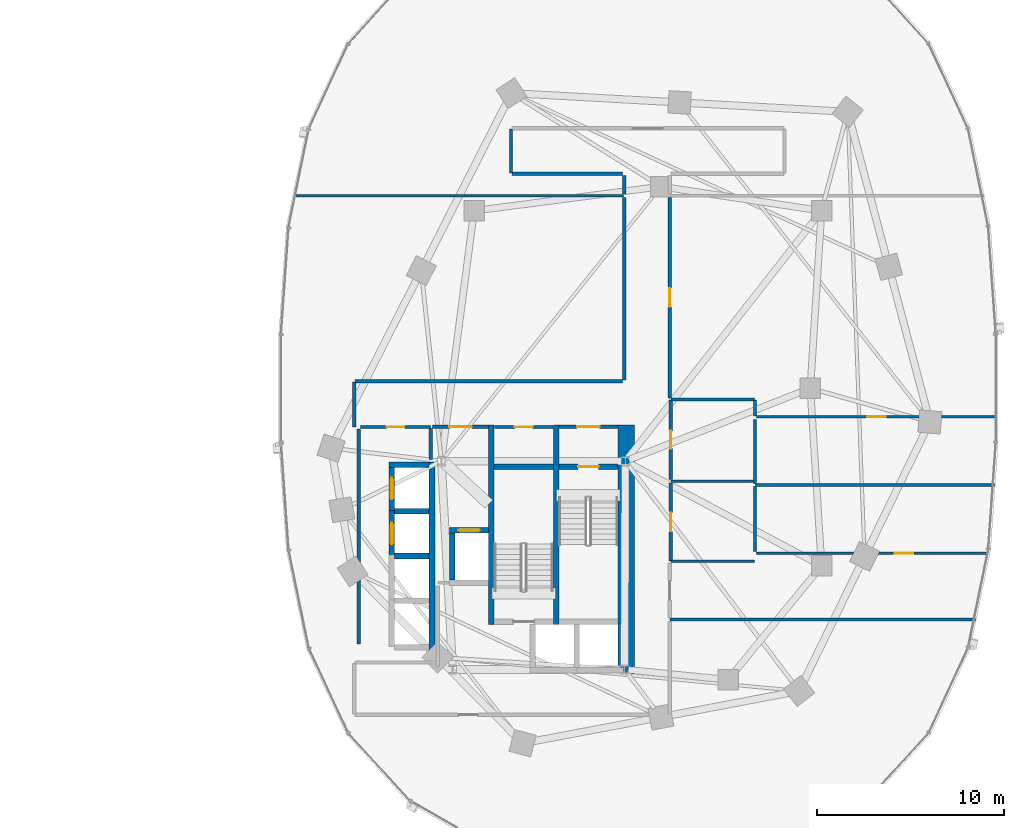
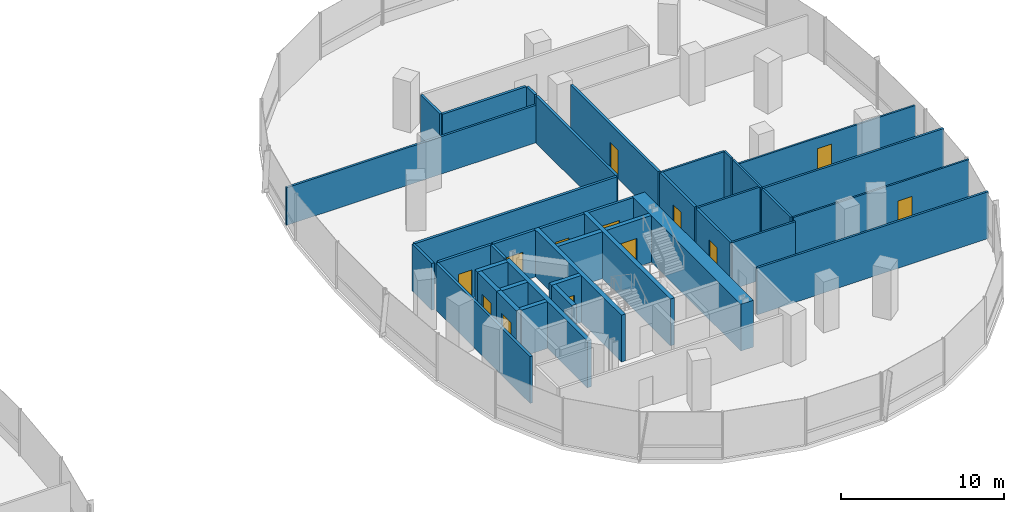
# One storey, part 13 of 21: 39 walls, 13 doors, 13 openings.
"""IFC4 building model written with IfcOpenShell, lengths in metres."""

from ifc_helpers import new_model, si_unit, direction, frame, frame_2d, origin, place, context, subcontext, project, spatial, rectangle, extrude, material, layer, layer_set, type_object, element, fill, save


model = new_model("IFC4")

# Units and contexts
model_context = context("Model", 3, precision=1e-05, world=origin(), true_north=direction((0.0, 1.0)))
body_context = subcontext(model_context, "Body", "Model", "MODEL_VIEW")
ifc_project = project(units=[si_unit("LENGTHUNIT", "METRE"), si_unit("AREAUNIT", "SQUARE_METRE"), si_unit("VOLUMEUNIT", "CUBIC_METRE"), si_unit("PLANEANGLEUNIT", "RADIAN"), si_unit("MASSUNIT", "GRAM", prefix="KILO"), si_unit("THERMODYNAMICTEMPERATUREUNIT", "KELVIN"), si_unit("POWERUNIT", "WATT")], contexts=[model_context])

# Site, building, storey
site_placement = place(None, origin())
site = spatial("IfcSite", under=ifc_project, at=site_placement, CompositionType="ELEMENT")
building_placement = place(site_placement, origin())
building = spatial("IfcBuilding", under=site, at=building_placement, Name="Cundina Bronze Exchange", CompositionType="ELEMENT")
storey_placement = place(building_placement, frame((0.0, 0.0, 50.60009765625)))
storey = spatial("IfcBuildingStorey", under=building, at=storey_placement, Name="L12", CompositionType="ELEMENT", Elevation=50.60009765625)

# Wall
ifc_material_1 = material(Name="Gypsum Fireboard Partition EI120")
ifc_layer_1 = layer(ifc_material_1, 0.179931640625, Name="Gypsum Fireboard Partition EI120")
ifc_layer_set_1 = layer_set([ifc_layer_1], Name="Gypsum Fireboard Partition EI120")
wall_type_1 = type_object("IfcWallType", Name="WL-COR-180", PredefinedType="PARTITIONING", material=ifc_layer_set_1)
wall_1_placement = place(storey_placement, frame((20.889892578125, -3.800048828125, 0.0), z_axis=(0.0, 0.0, 1.0), x_axis=(0.0, 1.0, 0.0)))
element("IfcWall", 1, at=wall_1_placement, inside=storey, type_object=wall_type_1, Name="L12 E Firefighting Lobby Side Wall", PredefinedType="PARTITIONING", context=body_context, shape_type="SweptSolid", body=[
    extrude(rectangle(XDim=1.650146484375, YDim=0.179931640625, at=frame_2d((0.8251953125, 0.0))), origin(), (0.0, 0.0, 1.0), 3.5),
])

# Wall, opening, door
wall_2_placement = place(storey_placement, frame((20.97998046875, -2.06005859375, 0.0), z_axis=(0.0, 0.0, 1.0), x_axis=(1.0, 0.0, 0.0)))
wall_2 = element("IfcWall", 2, at=wall_2_placement, inside=storey, type_object=wall_type_1, Name="L12 E Firefighting Lobby Exit Wall", PredefinedType="PARTITIONING", context=body_context, shape_type="SweptSolid", body=[
    extrude(rectangle(XDim=3.0, YDim=0.179931640625, at=frame_2d((1.5, 0.0))), origin(), (0.0, 0.0, 1.0), 3.5),
])
opening_1_placement = place(wall_2_placement, frame((0.89990234375, 0.0, 0.0)))
opening_1 = element("IfcOpeningElement", 3, at=opening_1_placement, cuts=wall_2, Name="Opening DF-01", PredefinedType="OPENING", context=body_context, shape_type="SweptSolid", body=[
    extrude(rectangle(XDim=1.199951171875, YDim=2.14990234375, at=frame_2d((0.60009765625, 1.074951171875))), frame((0.0, 0.099853515625, 0.0), z_axis=(0.0, -1.0, 0.0), x_axis=(1.0, 0.0, 0.0)), (0.0, 0.0, 1.0), 0.199951171875),
])
ifc_material_2 = material(Name="Steel ASTM A36 Painted", Category="steel")
door_type_1 = type_object("IfcDoorType", Name="DR-FFL-1200", OperationType="NOTDEFINED", PredefinedType="DOOR", material=ifc_material_2)
door_1_placement = place(opening_1_placement, origin())
door_1 = element("IfcDoor", 4, at=door_1_placement, inside=storey, type_object=door_type_1, Name="L12 E Firefighting Lobby Door", OperationType="SINGLE_SWING_LEFT", OverallHeight=2.14990234375, OverallWidth=1.199951171875, PredefinedType="DOOR", context=body_context, shape_type="SweptSolid", body=[
    extrude(rectangle(XDim=1.199951171875, YDim=2.14990234375, at=frame_2d((0.60009765625, 1.074951171875))), frame((0.0, 0.02490234375, 0.0), z_axis=(0.0, -1.0, 0.0), x_axis=(1.0, 0.0, 0.0)), (0.0, 0.0, 1.0), 0.050048828125),
])
fill(opening_1, door_1)

wall_3_placement = place(storey_placement, frame((27.739990234375, -2.06005859375, 0.0), z_axis=(0.0, 0.0, 1.0), x_axis=(1.0, 0.0, 0.0)))
wall_3 = element("IfcWall", 5, at=wall_3_placement, inside=storey, type_object=wall_type_1, Name="L12 E Stair Vestibule Exit Wall", PredefinedType="PARTITIONING", context=body_context, shape_type="SweptSolid", body=[
    extrude(rectangle(XDim=3.159912109375, YDim=0.179931640625, at=frame_2d((1.580078125, 0.0))), origin(), (0.0, 0.0, 1.0), 3.5),
])
opening_2_placement = place(wall_3_placement, frame((0.97998046875, 0.0, 0.0)))
opening_2 = element("IfcOpeningElement", 6, at=opening_2_placement, cuts=wall_3, Name="Opening DF-01", PredefinedType="OPENING", context=body_context, shape_type="SweptSolid", body=[
    extrude(rectangle(XDim=1.199951171875, YDim=2.14990234375, at=frame_2d((0.60009765625, 1.074951171875))), frame((0.0, 0.099853515625, 0.0), z_axis=(0.0, -1.0, 0.0), x_axis=(1.0, 0.0, 0.0)), (0.0, 0.0, 1.0), 0.199951171875),
])
door_2_placement = place(opening_2_placement, origin())
door_2 = element("IfcDoor", 7, at=door_2_placement, inside=storey, type_object=door_type_1, Name="L12 E Stair Vestibule Door", OperationType="SINGLE_SWING_RIGHT", OverallHeight=2.14990234375, OverallWidth=1.199951171875, PredefinedType="DOOR", context=body_context, shape_type="SweptSolid", body=[
    extrude(rectangle(XDim=1.199951171875, YDim=2.14990234375, at=frame_2d((0.60009765625, 1.074951171875))), frame((0.0, 0.02490234375, 0.0), z_axis=(0.0, -1.0, 0.0), x_axis=(1.0, 0.0, 0.0)), (0.0, 0.0, 1.0), 0.050048828125),
])
fill(opening_2, door_2)

# Wall
wall_4_placement = place(storey_placement, frame((17.02001953125, -13.679931640625, 0.0), z_axis=(0.0, 0.0, 1.0), x_axis=(0.0, 1.0, 0.0)))
element("IfcWall", 8, at=wall_4_placement, inside=storey, type_object=wall_type_1, Name="L12 Interior Partition 040", PredefinedType="PARTITIONING", context=body_context, shape_type="SweptSolid", body=[
    extrude(rectangle(XDim=11.510009765625, YDim=0.179931640625, at=frame_2d((5.7548828125, 0.0))), origin(), (0.0, 0.0, 1.0), 3.5),
])

# Wall, opening, door
wall_5_placement = place(storey_placement, frame((17.1201171875, -2.070068359375, 0.0), z_axis=(0.0, 0.0, 1.0), x_axis=(1.0, 0.0, 0.0)))
wall_5 = element("IfcWall", 9, at=wall_5_placement, inside=storey, type_object=wall_type_1, Name="L12 Interior Partition 041", PredefinedType="PARTITIONING", context=body_context, shape_type="SweptSolid", body=[
    extrude(rectangle(XDim=3.75, YDim=0.179931640625, at=frame_2d((1.875, 0.0))), origin(), (0.0, 0.0, 1.0), 3.5),
])
opening_3_placement = place(wall_5_placement, frame((1.39990234375, 0.0, 0.0)))
opening_3 = element("IfcOpeningElement", 10, at=opening_3_placement, cuts=wall_5, Name="Opening DW-01", PredefinedType="OPENING", context=body_context, shape_type="SweptSolid", body=[
    extrude(rectangle(XDim=0.949951171875, YDim=2.10009765625, at=frame_2d((0.47509765625, 1.050048828125))), frame((0.0, 0.099853515625, 0.0), z_axis=(0.0, -1.0, 0.0), x_axis=(1.0, 0.0, 0.0)), (0.0, 0.0, 1.0), 0.199951171875),
])
ifc_material_3 = material(Name="Solid Andean Oak Timber Grade A", Category="wood")
door_type_2 = type_object("IfcDoorType", Name="DR-WC-950", OperationType="NOTDEFINED", PredefinedType="DOOR", material=ifc_material_3)
door_3_placement = place(opening_3_placement, origin())
door_3 = element("IfcDoor", 11, at=door_3_placement, inside=storey, type_object=door_type_2, Name="L12 Interior Door 041", OperationType="SINGLE_SWING_LEFT", OverallHeight=2.10009765625, OverallWidth=0.949951171875, PredefinedType="DOOR", context=body_context, shape_type="SweptSolid", body=[
    extrude(rectangle(XDim=0.949951171875, YDim=2.10009765625, at=frame_2d((0.47509765625, 1.050048828125))), frame((0.0, 0.02490234375, 0.0), z_axis=(0.0, -1.0, 0.0), x_axis=(1.0, 0.0, 0.0)), (0.0, 0.0, 1.0), 0.050048828125),
])
fill(opening_3, door_3)

wall_6_placement = place(storey_placement, frame((24.300048828125, -2.070068359375, 0.0), z_axis=(0.0, 0.0, 1.0), x_axis=(1.0, 0.0, 0.0)))
wall_6 = element("IfcWall", 12, at=wall_6_placement, inside=storey, type_object=wall_type_1, Name="L12 Interior Partition 044", PredefinedType="PARTITIONING", context=body_context, shape_type="SweptSolid", body=[
    extrude(rectangle(XDim=3.119873046875, YDim=0.179931640625, at=frame_2d((1.56005859375, 0.0))), origin(), (0.0, 0.0, 1.0), 3.5),
])
opening_4_placement = place(wall_6_placement, frame((1.0849609375, 0.0, 0.0)))
opening_4 = element("IfcOpeningElement", 13, at=opening_4_placement, cuts=wall_6, Name="Opening DW-01", PredefinedType="OPENING", context=body_context, shape_type="SweptSolid", body=[
    extrude(rectangle(XDim=0.949951171875, YDim=2.10009765625, at=frame_2d((0.47509765625, 1.050048828125))), frame((0.0, 0.099853515625, 0.0), z_axis=(0.0, -1.0, 0.0), x_axis=(1.0, 0.0, 0.0)), (0.0, 0.0, 1.0), 0.199951171875),
])
door_4_placement = place(opening_4_placement, origin())
door_4 = element("IfcDoor", 14, at=door_4_placement, inside=storey, type_object=door_type_2, Name="L12 Interior Door 044", OperationType="SINGLE_SWING_LEFT", OverallHeight=2.10009765625, OverallWidth=0.949951171875, PredefinedType="DOOR", context=body_context, shape_type="SweptSolid", body=[
    extrude(rectangle(XDim=0.949951171875, YDim=2.10009765625, at=frame_2d((0.47509765625, 1.050048828125))), frame((0.0, 0.02490234375, 0.0), z_axis=(0.0, -1.0, 0.0), x_axis=(1.0, 0.0, 0.0)), (0.0, 0.0, 1.0), 0.050048828125),
])
fill(opening_4, door_4)

wall_7_placement = place(storey_placement, frame((33.719970703125, -4.8798828125, 0.0), z_axis=(0.0, 0.0, 1.0), x_axis=(0.0, 1.0, 0.0)))
wall_7 = element("IfcWall", 15, at=wall_7_placement, inside=storey, type_object=wall_type_1, Name="L12 Interior Partition 051", PredefinedType="PARTITIONING", context=body_context, shape_type="SweptSolid", body=[
    extrude(rectangle(XDim=4.259765625, YDim=0.179931640625, at=frame_2d((2.1298828125, 0.0))), origin(), (0.0, 0.0, 1.0), 3.5),
])
opening_5_placement = place(wall_7_placement, frame((1.655029296875, 0.0, 0.0)))
opening_5 = element("IfcOpeningElement", 16, at=opening_5_placement, cuts=wall_7, Name="Opening DW-01", PredefinedType="OPENING", context=body_context, shape_type="SweptSolid", body=[
    extrude(rectangle(XDim=0.949951171875, YDim=2.10009765625, at=frame_2d((0.47509765625, 1.050048828125))), frame((0.0, 0.099853515625, 0.0), z_axis=(0.0, -1.0, 0.0), x_axis=(1.0, 0.0, 0.0)), (0.0, 0.0, 1.0), 0.199951171875),
])
door_5_placement = place(opening_5_placement, origin())
door_5 = element("IfcDoor", 17, at=door_5_placement, inside=storey, type_object=door_type_2, Name="L12 Interior Door 051", OperationType="SINGLE_SWING_LEFT", OverallHeight=2.10009765625, OverallWidth=0.949951171875, PredefinedType="DOOR", context=body_context, shape_type="SweptSolid", body=[
    extrude(rectangle(XDim=0.949951171875, YDim=2.10009765625, at=frame_2d((0.47509765625, 1.050048828125))), frame((0.0, 0.02490234375, 0.0), z_axis=(0.0, -1.0, 0.0), x_axis=(1.0, 0.0, 0.0)), (0.0, 0.0, 1.0), 0.050048828125),
])
fill(opening_5, door_5)

wall_8_placement = place(storey_placement, frame((33.719970703125, -9.239990234375, 0.0), z_axis=(0.0, 0.0, 1.0), x_axis=(0.0, 1.0, 0.0)))
wall_8 = element("IfcWall", 18, at=wall_8_placement, inside=storey, type_object=wall_type_1, Name="L12 Interior Partition 052", PredefinedType="PARTITIONING", context=body_context, shape_type="SweptSolid", body=[
    extrude(rectangle(XDim=4.159912109375, YDim=0.179931640625, at=frame_2d((2.080078125, 0.0))), origin(), (0.0, 0.0, 1.0), 3.5),
])
opening_6_placement = place(wall_8_placement, frame((1.580078125, 0.0, 0.0)))
opening_6 = element("IfcOpeningElement", 19, at=opening_6_placement, cuts=wall_8, Name="Opening DO-01", PredefinedType="OPENING", context=body_context, shape_type="SweptSolid", body=[
    extrude(rectangle(XDim=1.0, YDim=2.14990234375, at=frame_2d((0.5, 1.074951171875))), frame((0.0, 0.099853515625, 0.0), z_axis=(0.0, -1.0, 0.0), x_axis=(1.0, 0.0, 0.0)), (0.0, 0.0, 1.0), 0.199951171875),
])
door_type_3 = type_object("IfcDoorType", Name="DR-OFF-1000", OperationType="NOTDEFINED", PredefinedType="DOOR", material=ifc_material_3)
door_6_placement = place(opening_6_placement, origin())
door_6 = element("IfcDoor", 20, at=door_6_placement, inside=storey, type_object=door_type_3, Name="L12 Interior Door 052", OperationType="SINGLE_SWING_LEFT", OverallHeight=2.14990234375, OverallWidth=1.0, PredefinedType="DOOR", context=body_context, shape_type="SweptSolid", body=[
    extrude(rectangle(XDim=1.0, YDim=2.14990234375, at=frame_2d((0.5, 1.074951171875))), frame((0.0, 0.02490234375, 0.0), z_axis=(0.0, -1.0, 0.0), x_axis=(1.0, 0.0, 0.0)), (0.0, 0.0, 1.0), 0.050048828125),
])
fill(opening_6, door_6)

# Walls
wall_9_placement = place(storey_placement, frame((31.14990234375, 0.3701171875, 0.0), z_axis=(0.0, 0.0, 1.0), x_axis=(-1.0, 0.0, 0.0)))
element("IfcWall", 21, at=wall_9_placement, inside=storey, type_object=wall_type_1, Name="L12 Interior Partition 059", PredefinedType="PARTITIONING", context=body_context, shape_type="SweptSolid", body=[
    extrude(rectangle(XDim=14.328369140625, YDim=0.179931640625, at=frame_2d((7.1640625, 0.0))), origin(), (0.0, 0.0, 1.0), 3.5),
])
wall_10_placement = place(storey_placement, frame((31.22998046875, 10.219970703125, 0.0), z_axis=(0.0, 0.0, 1.0), x_axis=(0.0, -1.0, 0.0)))
element("IfcWall", 22, at=wall_10_placement, inside=storey, type_object=wall_type_1, Name="L12 Interior Partition 060", PredefinedType="PARTITIONING", context=body_context, shape_type="SweptSolid", body=[
    extrude(rectangle(XDim=9.77001953125, YDim=0.179931640625, at=frame_2d((4.885009765625, 0.0))), origin(), (0.0, 0.0, 1.0), 3.5),
])
wall_11_placement = place(storey_placement, frame((16.780029296875, 0.32861328125, 0.0), z_axis=(0.0, 0.0, 1.0), x_axis=(0.0, -1.0, 0.0)))
element("IfcWall", 23, at=wall_11_placement, inside=storey, type_object=wall_type_1, Name="L12 Interior Partition 064", PredefinedType="PARTITIONING", context=body_context, shape_type="SweptSolid", body=[
    extrude(rectangle(XDim=2.38720703125, YDim=0.179931640625, at=frame_2d((1.193603515625, 0.0))), origin(), (0.0, 0.0, 1.0), 3.5),
])

# Wall, opening, door
wall_12_placement = place(storey_placement, frame((33.669921875, -0.508544921875, 0.0), z_axis=(0.0, 0.0, 1.0), x_axis=(0.0, 1.0, 0.0)))
wall_12 = element("IfcWall", 24, at=wall_12_placement, inside=storey, type_object=wall_type_1, Name="L12 Interior Partition 065", PredefinedType="PARTITIONING", context=body_context, shape_type="SweptSolid", body=[
    extrude(rectangle(XDim=10.728515625, YDim=0.179931640625, at=frame_2d((5.3642578125, 0.0))), origin(), (0.0, 0.0, 1.0), 3.5),
])
opening_7_placement = place(wall_12_placement, frame((4.8642578125, 0.0, 0.0)))
opening_7 = element("IfcOpeningElement", 25, at=opening_7_placement, cuts=wall_12, Name="Opening DO-01", PredefinedType="OPENING", context=body_context, shape_type="SweptSolid", body=[
    extrude(rectangle(XDim=1.0, YDim=2.14990234375, at=frame_2d((0.5, 1.074951171875))), frame((0.0, 0.099853515625, 0.0), z_axis=(0.0, -1.0, 0.0), x_axis=(1.0, 0.0, 0.0)), (0.0, 0.0, 1.0), 0.199951171875),
])
door_7_placement = place(opening_7_placement, origin())
door_7 = element("IfcDoor", 26, at=door_7_placement, inside=storey, type_object=door_type_3, Name="L12 Interior Door 065", OperationType="SINGLE_SWING_RIGHT", OverallHeight=2.14990234375, OverallWidth=1.0, PredefinedType="DOOR", context=body_context, shape_type="SweptSolid", body=[
    extrude(rectangle(XDim=1.0, YDim=2.14990234375, at=frame_2d((0.5, 1.074951171875))), frame((0.0, 0.02490234375, 0.0), z_axis=(0.0, -1.0, 0.0), x_axis=(1.0, 0.0, 0.0)), (0.0, 0.0, 1.0), 0.050048828125),
])
fill(opening_7, door_7)

# Walls
wall_13_placement = place(storey_placement, frame((25.221435546875, 11.47998046875, 0.0), z_axis=(0.0, 0.0, 1.0), x_axis=(1.0, 0.0, 0.0)))
element("IfcWall", 27, at=wall_13_placement, inside=storey, type_object=wall_type_1, Name="L12 Interior Partition 068", PredefinedType="PARTITIONING", context=body_context, shape_type="SweptSolid", body=[
    extrude(rectangle(XDim=5.928466796875, YDim=0.179931640625, at=frame_2d((2.96435546875, 0.0))), origin(), (0.0, 0.0, 1.0), 3.5),
])
wall_14_placement = place(storey_placement, frame((25.179931640625, 13.87841796875, 0.0), z_axis=(0.0, 0.0, 1.0), x_axis=(0.0, -1.0, 0.0)))
element("IfcWall", 28, at=wall_14_placement, inside=storey, type_object=wall_type_1, Name="L12 Interior Partition 070", PredefinedType="PARTITIONING", context=body_context, shape_type="SweptSolid", body=[
    extrude(rectangle(XDim=2.35693359375, YDim=0.179931640625, at=frame_2d((1.178466796875, 0.0))), origin(), (0.0, 0.0, 1.0), 3.5),
])
wall_15_placement = place(storey_placement, frame((31.22998046875, 11.39990234375, 0.0), z_axis=(0.0, 0.0, 1.0), x_axis=(0.0, -1.0, 0.0)))
element("IfcWall", 29, at=wall_15_placement, inside=storey, type_object=wall_type_1, Name="L12 Interior Partition 072", PredefinedType="PARTITIONING", context=body_context, shape_type="SweptSolid", body=[
    extrude(rectangle(XDim=1.0, YDim=0.179931640625, at=frame_2d((0.5, 0.0))), origin(), (0.0, 0.0, 1.0), 3.5),
])
ifc_material_4 = material(Name="Concrete C60/75", Category="concrete")
ifc_layer_2 = layer(ifc_material_4, 0.89990234375, Name="Concrete C60/75", Category="concrete")
ifc_layer_set_2 = layer_set([ifc_layer_2], Name="Concrete C60/75")
wall_type_2 = type_object("IfcWallType", Name="WL-CORE-900", PredefinedType="SHEAR", material=ifc_layer_set_2)
wall_16_placement = place(storey_placement, frame((31.35009765625, -15.300048828125, 0.0), z_axis=(0.0, 0.0, 1.0), x_axis=(0.0, 1.0, 0.0)))
element("IfcWall", 30, at=wall_16_placement, inside=storey, type_object=wall_type_2, Name="L12 E Primary Core Shear Spine Wall", PredefinedType="SHEAR", context=body_context, shape_type="SweptSolid", body=[
    extrude(rectangle(XDim=13.330078125, YDim=0.89990234375, at=frame_2d((6.6650390625, 0.0))), origin(), (0.0, 0.0, 1.0), 3.5),
])

# Wall, opening, door
ifc_material_5 = material(Name="Gypsum Acoustic Partition EI60")
ifc_layer_3 = layer(ifc_material_5, 0.125, Name="Gypsum Acoustic Partition EI60")
ifc_layer_set_3 = layer_set([ifc_layer_3], Name="Gypsum Acoustic Partition EI60")
wall_type_3 = type_object("IfcWallType", Name="WL-OFF-125", PredefinedType="PARTITIONING", material=ifc_layer_set_3)
wall_17_placement = place(storey_placement, frame((50.74169921875, -8.830078125, 0.0), z_axis=(0.0, 0.0, 1.0), x_axis=(-1.0, 0.0, 0.0)))
wall_17 = element("IfcWall", 31, at=wall_17_placement, inside=storey, type_object=wall_type_3, Name="L12 Interior Partition 073", PredefinedType="PARTITIONING", context=body_context, shape_type="SweptSolid", body=[
    extrude(rectangle(XDim=12.421630859375, YDim=0.125, at=frame_2d((6.2109375, 0.0))), origin(), (0.0, 0.0, 1.0), 3.5),
])
opening_8_placement = place(wall_17_placement, frame((4.03369140625, 0.0, 0.0)))
opening_8 = element("IfcOpeningElement", 32, at=opening_8_placement, cuts=wall_17, Name="Opening DO-01", PredefinedType="OPENING", context=body_context, shape_type="SweptSolid", body=[
    extrude(rectangle(XDim=1.0, YDim=2.14990234375, at=frame_2d((0.5, 1.074951171875))), frame((0.0, 0.072509765625, 0.0), z_axis=(0.0, -1.0, 0.0), x_axis=(1.0, 0.0, 0.0)), (0.0, 0.0, 1.0), 0.14501953125),
])
door_8_placement = place(opening_8_placement, origin())
door_8 = element("IfcDoor", 33, at=door_8_placement, inside=storey, type_object=door_type_3, Name="L12 Interior Door 073", OperationType="SINGLE_SWING_LEFT", OverallHeight=2.14990234375, OverallWidth=1.0, PredefinedType="DOOR", context=body_context, shape_type="SweptSolid", body=[
    extrude(rectangle(XDim=1.0, YDim=2.14990234375, at=frame_2d((0.5, 1.074951171875))), frame((0.0, 0.02490234375, 0.0), z_axis=(0.0, -1.0, 0.0), x_axis=(1.0, 0.0, 0.0)), (0.0, 0.0, 1.0), 0.050048828125),
])
fill(opening_8, door_8)

wall_18_placement = place(storey_placement, frame((38.320068359375, -1.530029296875, 0.0), z_axis=(0.0, 0.0, 1.0), x_axis=(1.0, 0.0, 0.0)))
wall_18 = element("IfcWall", 34, at=wall_18_placement, inside=storey, type_object=wall_type_3, Name="L12 Interior Partition 074", PredefinedType="PARTITIONING", context=body_context, shape_type="SweptSolid", body=[
    extrude(rectangle(XDim=12.837890625, YDim=0.125, at=frame_2d((6.4189453125, 0.0))), origin(), (0.0, 0.0, 1.0), 2.966796875),
])
opening_9_placement = place(wall_18_placement, frame((5.9189453125, 0.0, 0.0)))
opening_9 = element("IfcOpeningElement", 35, at=opening_9_placement, cuts=wall_18, Name="Opening DO-01", PredefinedType="OPENING", context=body_context, shape_type="SweptSolid", body=[
    extrude(rectangle(XDim=1.0, YDim=2.14990234375, at=frame_2d((0.5, 1.074951171875))), frame((0.0, 0.072509765625, 0.0), z_axis=(0.0, -1.0, 0.0), x_axis=(1.0, 0.0, 0.0)), (0.0, 0.0, 1.0), 0.14501953125),
])
door_9_placement = place(opening_9_placement, origin())
door_9 = element("IfcDoor", 36, at=door_9_placement, inside=storey, type_object=door_type_3, Name="L12 Interior Door 074", OperationType="SINGLE_SWING_LEFT", OverallHeight=2.14990234375, OverallWidth=1.0, PredefinedType="DOOR", context=body_context, shape_type="SweptSolid", body=[
    extrude(rectangle(XDim=1.0, YDim=2.14990234375, at=frame_2d((0.5, 1.074951171875))), frame((0.0, 0.02490234375, 0.0), z_axis=(0.0, -1.0, 0.0), x_axis=(1.0, 0.0, 0.0)), (0.0, 0.0, 1.0), 0.050048828125),
])
fill(opening_9, door_9)

# Walls
ifc_material_6 = material(Name="Concrete C50/60", Category="concrete")
ifc_layer_4 = layer(ifc_material_6, 0.300048828125, Name="Concrete C50/60", Category="concrete")
ifc_layer_set_4 = layer_set([ifc_layer_4], Name="Concrete C50/60")
wall_type_4 = type_object("IfcWallType", Name="WL-SHFT-300", PredefinedType="SHEAR", material=ifc_layer_set_4)
for number, where, z_axis, x_axis, name in (
    (37, (27.590087890625, -12.64990234375, 0.0), (0.0, 0.0, 1.0), (0.0, 1.0, 0.0), "L12 E Stair Shaft Dividing Shear Wall"),
    (38, (24.1298828125, -12.64990234375, 0.0), (0.0, 0.0, 1.0), (0.0, 1.0, 0.0), "L12 E Stair 2 East Shear Wall"),
):
    element("IfcWall", number, at=place(storey_placement, frame(where, z_axis=z_axis, x_axis=x_axis)), inside=storey, type_object=wall_type_4, Name=name, PredefinedType="SHEAR", context=body_context, shape_type="SweptSolid", body=[
        extrude(rectangle(XDim=10.679931640625, YDim=0.300048828125, at=frame_2d((5.33984375, 0.0))), origin(), (0.0, 0.0, 1.0), 3.5),
    ])

# Wall, opening, door
wall_19_placement = place(storey_placement, frame((27.739990234375, -4.199951171875, 0.0), z_axis=(0.0, 0.0, 1.0), x_axis=(1.0, 0.0, 0.0)))
wall_19 = element("IfcWall", 39, at=wall_19_placement, inside=storey, type_object=wall_type_4, Name="L12 Stair E1 Landing Wall", PredefinedType="SHEAR", context=body_context, shape_type="SweptSolid", body=[
    extrude(rectangle(XDim=3.159912109375, YDim=0.300048828125, at=frame_2d((1.580078125, 0.0))), origin(), (0.0, 0.0, 1.0), 3.5),
])
opening_10_placement = place(wall_19_placement, frame((1.030029296875, 0.0, 0.0)))
opening_10 = element("IfcOpeningElement", 40, at=opening_10_placement, cuts=wall_19, Name="Opening DS-01", PredefinedType="OPENING", context=body_context, shape_type="SweptSolid", body=[
    extrude(rectangle(XDim=1.10009765625, YDim=2.14990234375, at=frame_2d((0.550048828125, 1.074951171875))), frame((0.0, 0.159912109375, 0.0), z_axis=(0.0, -1.0, 0.0), x_axis=(1.0, 0.0, 0.0)), (0.0, 0.0, 1.0), 0.320068359375),
])
door_type_4 = type_object("IfcDoorType", Name="DR-STR-1100", OperationType="NOTDEFINED", PredefinedType="DOOR", material=ifc_material_2)
door_10_placement = place(opening_10_placement, origin())
door_10 = element("IfcDoor", 41, at=door_10_placement, inside=storey, type_object=door_type_4, Name="L12 Smokeproof Stair E1 Door", OperationType="SINGLE_SWING_LEFT", OverallHeight=2.14990234375, OverallWidth=1.10009765625, PredefinedType="DOOR", context=body_context, shape_type="SweptSolid", body=[
    extrude(rectangle(XDim=1.10009765625, YDim=2.14990234375, at=frame_2d((0.550048828125, 1.074951171875))), frame((0.0, 0.02490234375, 0.0), z_axis=(0.0, -1.0, 0.0), x_axis=(1.0, 0.0, 0.0)), (0.0, 0.0, 1.0), 0.050048828125),
])
fill(opening_10, door_10)

# Wall
wall_20_placement = place(storey_placement, frame((24.280029296875, -4.199951171875, 0.0), z_axis=(0.0, 0.0, 1.0), x_axis=(1.0, 0.0, 0.0)))
element("IfcWall", 42, at=wall_20_placement, inside=storey, type_object=wall_type_4, Name="L12 Stair E2 Far Shaft Wall", PredefinedType="SHEAR", context=body_context, shape_type="SweptSolid", body=[
    extrude(rectangle(XDim=3.159912109375, YDim=0.300048828125, at=frame_2d((1.580078125, 0.0))), origin(), (0.0, 0.0, 1.0), 3.5),
])

# Wall, opening, door
wall_21_placement = place(storey_placement, frame((21.8798828125, -7.60009765625, 0.0), z_axis=(0.0, 0.0, 1.0), x_axis=(1.0, 0.0, 0.0)))
wall_21 = element("IfcWall", 43, at=wall_21_placement, inside=storey, type_object=wall_type_4, Name="L12 FFL-E Hoistway Front Wall", PredefinedType="SHEAR", context=body_context, shape_type="SweptSolid", body=[
    extrude(rectangle(XDim=2.10009765625, YDim=0.300048828125, at=frame_2d((1.050048828125, 0.0))), origin(), (0.0, 0.0, 1.0), 3.5),
])
opening_11_placement = place(wall_21_placement, frame((0.47509765625, 0.0, 0.0)))
opening_11 = element("IfcOpeningElement", 44, at=opening_11_placement, cuts=wall_21, Name="Opening LD-01", PredefinedType="OPENING", context=body_context, shape_type="SweptSolid", body=[
    extrude(rectangle(XDim=1.14990234375, YDim=2.199951171875, at=frame_2d((0.574951171875, 1.10009765625))), frame((0.0, 0.159912109375, 0.0), z_axis=(0.0, -1.0, 0.0), x_axis=(1.0, 0.0, 0.0)), (0.0, 0.0, 1.0), 0.320068359375),
])
door_type_5 = type_object("IfcDoorType", Name="DR-LND-1150", OperationType="NOTDEFINED", PredefinedType="TRAPDOOR", material=ifc_material_2)
door_11_placement = place(opening_11_placement, origin())
door_11 = element("IfcDoor", 45, at=door_11_placement, inside=storey, type_object=door_type_5, Name="L12 FFL-E Sliding Landing Door", OperationType="SLIDING_TO_LEFT", OverallHeight=2.199951171875, OverallWidth=1.14990234375, PredefinedType="TRAPDOOR", context=body_context, shape_type="SweptSolid", body=[
    extrude(rectangle(XDim=1.14990234375, YDim=2.199951171875, at=frame_2d((0.574951171875, 1.10009765625))), frame((0.0, 0.02490234375, 0.0), z_axis=(0.0, -1.0, 0.0), x_axis=(1.0, 0.0, 0.0)), (0.0, 0.0, 1.0), 0.050048828125),
])
fill(opening_11, door_11)

# Walls
wall_22_placement = place(storey_placement, frame((22.030029296875, -10.25, 0.0), z_axis=(0.0, 0.0, 1.0), x_axis=(0.0, 1.0, 0.0)))
element("IfcWall", 46, at=wall_22_placement, inside=storey, type_object=wall_type_4, Name="L12 FFL-E Hoistway Side Wall", PredefinedType="SHEAR", context=body_context, shape_type="SweptSolid", body=[
    extrude(rectangle(XDim=2.5, YDim=0.300048828125, at=frame_2d((1.25, 0.0))), origin(), (0.0, 0.0, 1.0), 3.5),
])
wall_23_placement = place(storey_placement, frame((20.949951171875, -14.0, 0.0), z_axis=(0.0, 0.0, 1.0), x_axis=(0.0, 1.0, 0.0)))
element("IfcWall", 47, at=wall_23_placement, inside=storey, type_object=wall_type_4, Name="L12 E Passenger Bank Hoistway Back Wall", PredefinedType="SHEAR", context=body_context, shape_type="SweptSolid", body=[
    extrude(rectangle(XDim=10.050048828125, YDim=0.300048828125, at=frame_2d((5.02490234375, 0.0))), origin(), (0.0, 0.0, 1.0), 3.5),
])
wall_24_placement = place(storey_placement, frame((18.64990234375, -4.10009765625, 0.0), z_axis=(0.0, 0.0, 1.0), x_axis=(1.0, 0.0, 0.0)))
element("IfcWall", 48, at=wall_24_placement, inside=storey, type_object=wall_type_4, Name="L12 E Passenger Bank North Cap Wall", PredefinedType="SHEAR", context=body_context, shape_type="SweptSolid", body=[
    extrude(rectangle(XDim=2.150146484375, YDim=0.300048828125, at=frame_2d((1.0751953125, 0.0))), origin(), (0.0, 0.0, 1.0), 3.5),
])
for number, where, z_axis, x_axis, name in (
    (49, (18.949951171875, -8.97509765625, 0.0), (0.0, 0.0, 1.0), (1.0, 0.0, 0.0), "L12 E Passenger Hoistway Divider 2"),
    (50, (18.949951171875, -6.574951171875, 0.0), (0.0, 0.0, 1.0), (1.0, 0.0, 0.0), "L12 E Passenger Hoistway Divider 3"),
):
    element("IfcWall", number, at=place(storey_placement, frame(where, z_axis=z_axis, x_axis=x_axis)), inside=storey, type_object=wall_type_4, Name=name, PredefinedType="SHEAR", context=body_context, shape_type="SweptSolid", body=[
        extrude(rectangle(XDim=1.85009765625, YDim=0.300048828125, at=frame_2d((0.925048828125, 0.0))), origin(), (0.0, 0.0, 1.0), 3.5),
    ])

# Wall, opening, door
wall_25_placement = place(storey_placement, frame((18.800048828125, -9.02001953125, 0.0), z_axis=(0.0, 0.0, 1.0), x_axis=(0.0, 1.0, 0.0)))
wall_25 = element("IfcWall", 51, at=wall_25_placement, inside=storey, type_object=wall_type_4, Name="L12 PL-E1 Hoistway Front Wall", PredefinedType="SHEAR", context=body_context, shape_type="SweptSolid", body=[
    extrude(rectangle(XDim=2.489990234375, YDim=0.300048828125, at=frame_2d((1.2451171875, 0.0))), origin(), (0.0, 0.0, 1.0), 3.5),
])
opening_12_placement = place(wall_25_placement, frame((0.669921875, 0.0, 0.0)))
opening_12 = element("IfcOpeningElement", 52, at=opening_12_placement, cuts=wall_25, Name="Opening LD-01", PredefinedType="OPENING", context=body_context, shape_type="SweptSolid", body=[
    extrude(rectangle(XDim=1.14990234375, YDim=2.199951171875, at=frame_2d((0.574951171875, 1.10009765625))), frame((0.0, 0.159912109375, 0.0), z_axis=(0.0, -1.0, 0.0), x_axis=(1.0, 0.0, 0.0)), (0.0, 0.0, 1.0), 0.320068359375),
])
door_12_placement = place(opening_12_placement, origin())
door_12 = element("IfcDoor", 53, at=door_12_placement, inside=storey, type_object=door_type_5, Name="L12 PL-E1 Sliding Landing Door", OperationType="SLIDING_TO_LEFT", OverallHeight=2.199951171875, OverallWidth=1.14990234375, PredefinedType="TRAPDOOR", context=body_context, shape_type="SweptSolid", body=[
    extrude(rectangle(XDim=1.14990234375, YDim=2.199951171875, at=frame_2d((0.574951171875, 1.10009765625))), frame((0.0, 0.02490234375, 0.0), z_axis=(0.0, -1.0, 0.0), x_axis=(1.0, 0.0, 0.0)), (0.0, 0.0, 1.0), 0.050048828125),
])
fill(opening_12, door_12)

wall_26_placement = place(storey_placement, frame((18.800048828125, -6.6201171875, 0.0), z_axis=(0.0, 0.0, 1.0), x_axis=(0.0, 1.0, 0.0)))
wall_26 = element("IfcWall", 54, at=wall_26_placement, inside=storey, type_object=wall_type_4, Name="L12 PL-E2 Hoistway Front Wall", PredefinedType="SHEAR", context=body_context, shape_type="SweptSolid", body=[
    extrude(rectangle(XDim=2.490234375, YDim=0.300048828125, at=frame_2d((1.2451171875, 0.0))), origin(), (0.0, 0.0, 1.0), 3.5),
])
opening_13_placement = place(wall_26_placement, frame((0.669921875, 0.0, 0.0)))
opening_13 = element("IfcOpeningElement", 55, at=opening_13_placement, cuts=wall_26, Name="Opening LD-01", PredefinedType="OPENING", context=body_context, shape_type="SweptSolid", body=[
    extrude(rectangle(XDim=1.14990234375, YDim=2.199951171875, at=frame_2d((0.574951171875, 1.10009765625))), frame((0.0, 0.159912109375, 0.0), z_axis=(0.0, -1.0, 0.0), x_axis=(1.0, 0.0, 0.0)), (0.0, 0.0, 1.0), 0.320068359375),
])
door_13_placement = place(opening_13_placement, origin())
door_13 = element("IfcDoor", 56, at=door_13_placement, inside=storey, type_object=door_type_5, Name="L12 PL-E2 Sliding Landing Door", OperationType="SLIDING_TO_LEFT", OverallHeight=2.199951171875, OverallWidth=1.14990234375, PredefinedType="TRAPDOOR", context=body_context, shape_type="SweptSolid", body=[
    extrude(rectangle(XDim=1.14990234375, YDim=2.199951171875, at=frame_2d((0.574951171875, 1.10009765625))), frame((0.0, 0.02490234375, 0.0), z_axis=(0.0, -1.0, 0.0), x_axis=(1.0, 0.0, 0.0)), (0.0, 0.0, 1.0), 0.050048828125),
])
fill(opening_13, door_13)

# Walls
ifc_layer_5 = layer(ifc_material_5, 0.14990234375, Name="Gypsum Acoustic Partition EI60")
ifc_layer_set_5 = layer_set([ifc_layer_5], Name="Gypsum Acoustic Partition EI60")
wall_type_5 = type_object("IfcWallType", Name="WL-TEN-150", PredefinedType="PARTITIONING", material=ifc_layer_set_5)
wall_27_placement = place(storey_placement, frame((13.536376953125, 10.31005859375, 0.0), z_axis=(0.0, 0.0, 1.0), x_axis=(1.0, 0.0, 0.0)))
element("IfcWall", 57, at=wall_27_placement, inside=storey, type_object=wall_type_5, Name="L12 Interior Partition 053", PredefinedType="PARTITIONING", context=body_context, shape_type="SweptSolid", body=[
    extrude(rectangle(XDim=17.66357421875, YDim=0.14990234375, at=frame_2d((8.831787109375, 0.0))), origin(), (0.0, 0.0, 1.0), 2.804931640625),
])
wall_28_placement = place(storey_placement, frame((38.27001953125, -5.179931640625, 0.0), z_axis=(0.0, 0.0, 1.0), x_axis=(1.0, 0.0, 0.0)))
element("IfcWall", 58, at=wall_28_placement, inside=storey, type_object=wall_type_5, Name="L12 Interior Partition 055", PredefinedType="PARTITIONING", context=body_context, shape_type="SweptSolid", body=[
    extrude(rectangle(XDim=12.779541015625, YDim=0.14990234375, at=frame_2d((6.3896484375, 0.0))), origin(), (0.0, 0.0, 1.0), 3.5),
])
wall_29_placement = place(storey_placement, frame((33.699951171875, -12.3798828125, 0.0), z_axis=(0.0, 0.0, 1.0), x_axis=(1.0, 0.0, 0.0)))
element("IfcWall", 59, at=wall_29_placement, inside=storey, type_object=wall_type_5, Name="L12 Interior Partition 056", PredefinedType="PARTITIONING", context=body_context, shape_type="SweptSolid", body=[
    extrude(rectangle(XDim=16.338134765625, YDim=0.14990234375, at=frame_2d((8.1689453125, 0.0))), origin(), (0.0, 0.0, 1.0), 3.5),
])
ifc_material_7 = material(Name="Moisture-Resistant Masonry Block Grade M15", Category="masonry")
ifc_layer_6 = layer(ifc_material_7, 0.139892578125, Name="Moisture-Resistant Masonry Block Grade M15", Category="masonry")
ifc_layer_set_6 = layer_set([ifc_layer_6], Name="Moisture-Resistant Masonry Block Grade M15")
wall_type_6 = type_object("IfcWallType", Name="WL-WET-140", PredefinedType="PARTITIONING", material=ifc_layer_set_6)
wall_30_placement = place(storey_placement, frame((38.239990234375, -8.7451171875, 0.0), z_axis=(0.0, 0.0, 1.0), x_axis=(0.0, 1.0, 0.0)))
element("IfcWall", 60, at=wall_30_placement, inside=storey, type_object=wall_type_6, Name="L12 Interior Partition 045", PredefinedType="PARTITIONING", context=body_context, shape_type="SweptSolid", body=[
    extrude(rectangle(XDim=3.480224609375, YDim=0.139892578125, at=frame_2d((1.740234375, 0.0))), origin(), (0.0, 0.0, 1.0), 3.5),
])
wall_31_placement = place(storey_placement, frame((38.239990234375, -5.094970703125, 0.0), z_axis=(0.0, 0.0, 1.0), x_axis=(0.0, 1.0, 0.0)))
element("IfcWall", 61, at=wall_31_placement, inside=storey, type_object=wall_type_6, Name="L12 Interior Partition 046", PredefinedType="PARTITIONING", context=body_context, shape_type="SweptSolid", body=[
    extrude(rectangle(XDim=3.429931640625, YDim=0.139892578125, at=frame_2d((1.71484375, 0.0))), origin(), (0.0, 0.0, 1.0), 3.5),
])
wall_32_placement = place(storey_placement, frame((38.239990234375, -1.4951171875, 0.0), z_axis=(0.0, 0.0, 1.0), x_axis=(0.0, 1.0, 0.0)))
element("IfcWall", 62, at=wall_32_placement, inside=storey, type_object=wall_type_6, Name="L12 Interior Partition 047", PredefinedType="PARTITIONING", context=body_context, shape_type="SweptSolid", body=[
    extrude(rectangle(XDim=0.875, YDim=0.139892578125, at=frame_2d((0.4375, 0.0))), origin(), (0.0, 0.0, 1.0), 3.5),
])
for number, where, z_axis, x_axis, name in (
    (63, (33.739990234375, -0.60009765625, 0.0), (0.0, 0.0, 1.0), (1.0, 0.0, 0.0), "L12 Interior Partition 048"),
    (64, (33.739990234375, -4.97998046875, 0.0), (0.0, 0.0, 1.0), (1.0, 0.0, 0.0), "L12 Interior Partition 049"),
    (65, (33.739990234375, -9.260009765625, 0.0), (0.0, 0.0, 1.0), (1.0, 0.0, 0.0), "L12 Interior Partition 050"),
):
    element("IfcWall", number, at=place(storey_placement, frame(where, z_axis=z_axis, x_axis=x_axis)), inside=storey, type_object=wall_type_6, Name=name, PredefinedType="PARTITIONING", context=body_context, shape_type="SweptSolid", body=[
        extrude(rectangle(XDim=4.47998046875, YDim=0.139892578125, at=frame_2d((2.239990234375, 0.0))), origin(), (0.0, 0.0, 1.0), 3.5),
    ])

save(model, "model.ifc")
